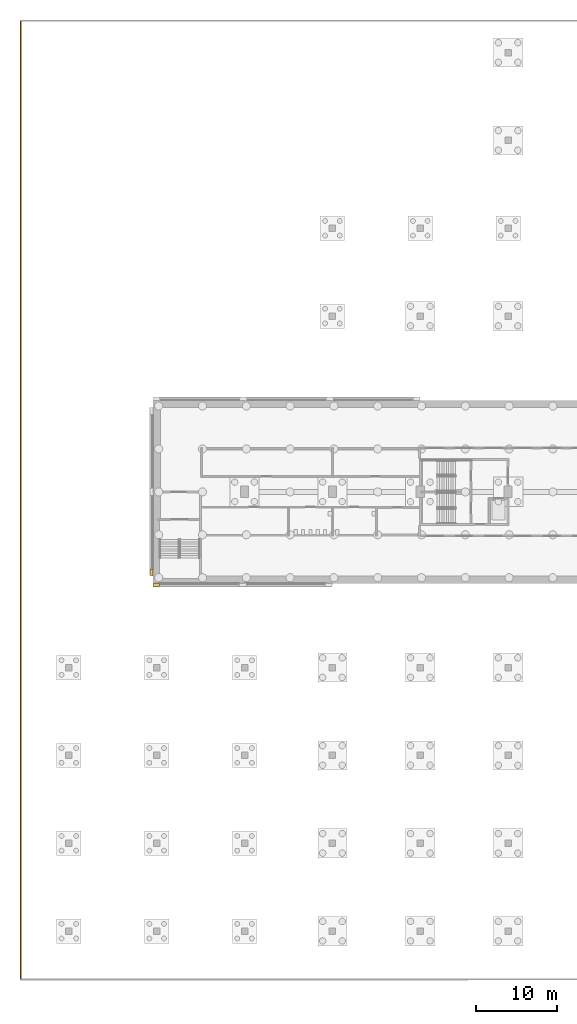
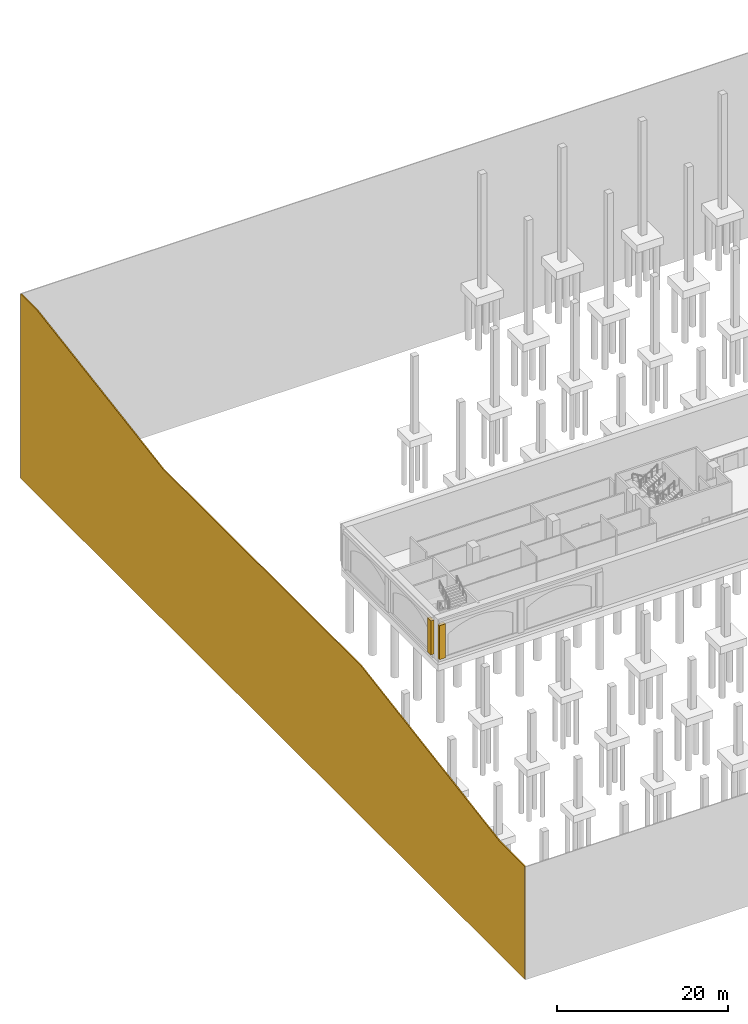
# One storey, part 29 of 39: 3 coverings.
"""IFC4 building model written with IfcOpenShell, lengths in metres."""

import ifcopenshell
import ifcopenshell.guid

model = None  # the IFC model being written
_history = None  # IfcOwnerHistory: only IFC2X3 demands one
_inside = {}  # id of a spatial element -> (the spatial element, [elements in it])
_under = {}  # id of a project, library or spatial element -> (it, [spatial elements below it])
_declared = {}  # id of a project -> (the project, [libraries it declares])
_typed = {}  # id of a type object -> (the type object, [elements of that type])
_made_of = {}  # id of a material, layer set ... -> (it, [elements and type objects made of it])


def new_model(schema):
    """Start an empty IFC model of exactly this schema.

    Asked for "IFC4X3", IfcOpenShell would pick the latest addendum, in which some entities
    have other attributes; the version numbers below select the first issue.
    IFC2X3 requires an IfcOwnerHistory on every rooted entity: one is made here for all.
    """
    global model, _history
    if schema == "IFC4X3":
        model = ifcopenshell.file(schema_version=(4, 3, 0, 0))
    else:
        model = ifcopenshell.file(schema=schema)
    _inside.clear()
    _under.clear()
    _declared.clear()
    _typed.clear()
    _made_of.clear()
    _history = None
    if model.schema == "IFC2X3":
        org = make("IfcOrganization", Name="unknown")
        user = make(
            "IfcPersonAndOrganization",
            ThePerson=make("IfcPerson", FamilyName="unknown"),
            TheOrganization=org,
        )
        app = make(
            "IfcApplication",
            ApplicationDeveloper=org,
            Version="unknown",
            ApplicationFullName="unknown",
            ApplicationIdentifier="unknown",
        )
        _history = make(
            "IfcOwnerHistory",
            OwningUser=user,
            OwningApplication=app,
            ChangeAction="ADDED",
            CreationDate=0,
        )
    return model


def make(cls, **values):
    """One entity of the class cls with the attributes given. An attribute that is None is left unset."""
    return model.create_entity(
        cls, **{name: value for name, value in values.items() if value is not None}
    )


def rooted(cls, **values):
    """An entity with a GlobalId (a new one), such as an element, a storey or a relation."""
    return make(cls, GlobalId=ifcopenshell.guid.new(), OwnerHistory=_history, **values)


def si_unit(unit_type, name, prefix=None):
    """IfcSIUnit, for example si_unit("LENGTHUNIT", "METRE", prefix="MILLI")."""
    return make("IfcSIUnit", UnitType=unit_type, Prefix=prefix, Name=name)


def assignment(units):
    """IfcUnitAssignment: the units of a project."""
    return None if units is None else make("IfcUnitAssignment", Units=units)


def point(xyz):
    """IfcCartesianPoint."""
    return None if xyz is None else make("IfcCartesianPoint", Coordinates=xyz)


def direction(xyz):
    """IfcDirection."""
    return None if xyz is None else make("IfcDirection", DirectionRatios=xyz)


def frame(location, z_axis=None, x_axis=None):
    """IfcAxis2Placement3D, a coordinate frame: its origin and axes. An axis left out is left unset."""
    return make(
        "IfcAxis2Placement3D",
        Location=point(location),
        Axis=direction(z_axis),
        RefDirection=direction(x_axis),
    )


def frame_2d(location, x_axis=None):
    """IfcAxis2Placement2D, a coordinate frame in the plane: its origin and x axis."""
    return make(
        "IfcAxis2Placement2D", Location=point(location), RefDirection=direction(x_axis)
    )


def origin():
    """The frame at (0, 0, 0) with its axes left unset."""
    return frame((0.0, 0.0, 0.0))


def origin_2d():
    """The frame at (0, 0) in the plane with its x axis left unset."""
    return frame_2d((0.0, 0.0))


def place(relative_to, where):
    """IfcLocalPlacement: puts the frame where relative to a parent placement (None: the world)."""
    return make(
        "IfcLocalPlacement", PlacementRelTo=relative_to, RelativePlacement=where
    )


def context(
    kind, dimensions, precision=None, world=None, true_north=None, identifier=None
):
    """IfcGeometricRepresentationContext, for example the 3D "Model" context."""
    return make(
        "IfcGeometricRepresentationContext",
        ContextIdentifier=identifier,
        ContextType=kind,
        CoordinateSpaceDimension=dimensions,
        Precision=precision,
        WorldCoordinateSystem=world,
        TrueNorth=true_north,
    )


def subcontext(parent, identifier, kind, view, scale=None):
    """IfcGeometricRepresentationSubContext, for example "Body" below "Model"."""
    return make(
        "IfcGeometricRepresentationSubContext",
        ContextIdentifier=identifier,
        ContextType=kind,
        ParentContext=parent,
        TargetScale=scale,
        TargetView=view,
    )


def project(units=None, contexts=None):
    """IfcProject with its units and contexts."""
    return rooted(
        "IfcProject",
        Name="project",
        RepresentationContexts=contexts,
        UnitsInContext=assignment(units),
    )


def spatial(cls, under=None, at=None, **own):
    """A site, building, storey or space (cls), placed at a placement, below another one or the project."""
    s = rooted(cls, ObjectPlacement=at, **own)
    if under is not None:
        _under.setdefault(under.id(), (under, []))[1].append(s)
    return s


def polyline(points):
    """IfcPolyline through the points."""
    return make("IfcPolyline", Points=[point(p) for p in points])


def profile(cls, at=None, kind="AREA", **sizes):
    """A parametric profile (cls). Its sizes go by their IFC names, for example OverallWidth=200.0."""
    return make(cls, ProfileType=kind, Position=at, **sizes)


def rectangle(**sizes):
    """IfcRectangleProfileDef."""
    return profile("IfcRectangleProfileDef", **sizes)


def outline(outer, holes=None, kind="AREA"):
    """IfcArbitraryClosedProfileDef: a profile drawn as a closed curve; with holes, ...WithVoids."""
    if holes is None:
        return make("IfcArbitraryClosedProfileDef", ProfileType=kind, OuterCurve=outer)
    return make(
        "IfcArbitraryProfileDefWithVoids",
        ProfileType=kind,
        OuterCurve=outer,
        InnerCurves=holes,
    )


def extrude(swept, where, along, depth):
    """IfcExtrudedAreaSolid: the profile swept, set in the frame where, extruded along a direction by depth."""
    return make(
        "IfcExtrudedAreaSolid",
        SweptArea=swept,
        Position=where,
        ExtrudedDirection=direction(along),
        Depth=depth,
    )


def shape(context_of_items, identifier, shape_type, items):
    """IfcShapeRepresentation: the items that make up one representation, for example the "Body"."""
    return make(
        "IfcShapeRepresentation",
        ContextOfItems=context_of_items,
        RepresentationIdentifier=identifier,
        RepresentationType=shape_type,
        Items=items,
    )


def material(Name=None, Category=None):
    """IfcMaterial."""
    return make("IfcMaterial", Name=Name, Category=Category)


def layer(
    of_material, thickness, ventilated=None, Name=None, Category=None, Priority=None
):
    """IfcMaterialLayer: one layer of a wall or slab, of a material (None: an air gap)."""
    return make(
        "IfcMaterialLayer",
        Material=of_material,
        LayerThickness=thickness,
        IsVentilated=ventilated,
        Name=Name,
        Category=Category,
        Priority=Priority,
    )


def layer_set(layers, Name=None):
    """IfcMaterialLayerSet."""
    return make("IfcMaterialLayerSet", MaterialLayers=layers, LayerSetName=Name)


def made_of(thing, what):
    """Note that an element or type object is made of a material, layer set ...; save() writes the relation."""
    if what is not None:
        _made_of.setdefault(what.id(), (what, []))[1].append(thing)
    return thing


def type_object(cls, material=None, **own):
    """A type object (cls), such as IfcWallType, which elements share."""
    return made_of(rooted(cls, **own), material)


def element(
    cls,
    number,
    at=None,
    inside=None,
    cuts=None,
    type_object=None,
    material=None,
    context=None,
    identifier="Body",
    shape_type=None,
    held_by="IfcProductDefinitionShape",
    body=None,
    shapes=None,
    **own,
):
    """One element of the class cls, such as IfcWall. Its Tag is "e" and its number.

    at: its placement. inside: the storey or other place that contains it. cuts: it is an
    opening in that element (IfcRelVoidsElement). A single representation is given by context,
    identifier, shape_type and body (its items); several are given by shapes. held_by: the class
    of the entity that holds the representations. save() writes the other relations.
    """
    e = rooted(cls, Tag="e%d" % number, ObjectPlacement=at, **own)
    if body is not None:
        shapes = [shape(context, identifier, shape_type, body)]
    if shapes is not None:
        e.Representation = make(held_by, Representations=shapes)
    if inside is not None:
        _inside.setdefault(inside.id(), (inside, []))[1].append(e)
    if cuts is not None:
        rooted(
            "IfcRelVoidsElement", RelatingBuildingElement=cuts, RelatedOpeningElement=e
        )
    if type_object is not None:
        _typed.setdefault(type_object.id(), (type_object, []))[1].append(e)
    return made_of(e, material)


def aggregate(whole, parts):
    """IfcRelAggregates: a whole, such as a stair, and the parts it consists of."""
    return rooted("IfcRelAggregates", RelatingObject=whole, RelatedObjects=parts)


def save(model, path):
    """Write the relations noted so far, then the file.

    IfcRelAggregates (storeys below a building ...), IfcRelContainedInSpatialStructure (elements
    in a storey), IfcRelDefinesByType, IfcRelAssociatesMaterial and IfcRelDeclares: one each for
    every whole, place, type object, material and project.
    """
    for whole, parts in _under.values():
        aggregate(whole, parts)
    for where, things in _inside.values():
        rooted(
            "IfcRelContainedInSpatialStructure",
            RelatedElements=things,
            RelatingStructure=where,
        )
    for kind, things in _typed.values():
        rooted("IfcRelDefinesByType", RelatedObjects=things, RelatingType=kind)
    for what, things in _made_of.values():
        rooted("IfcRelAssociatesMaterial", RelatedObjects=things, RelatingMaterial=what)
    for by, libraries in _declared.values():
        rooted("IfcRelDeclares", RelatingContext=by, RelatedDefinitions=libraries)
    model.write(path)


model = new_model("IFC4")

# Units and contexts
model_context = context("Model", 3, precision=1e-05, world=origin(), true_north=direction((0.0, 1.0)))
body_context = subcontext(model_context, "Body", "Model", "MODEL_VIEW")
ifc_project = project(units=[si_unit("LENGTHUNIT", "METRE"), si_unit("AREAUNIT", "SQUARE_METRE"), si_unit("VOLUMEUNIT", "CUBIC_METRE"), si_unit("PLANEANGLEUNIT", "RADIAN"), si_unit("MASSUNIT", "GRAM", prefix="KILO")], contexts=[model_context])

# Site, building, storey
site_placement = place(None, origin())
site = spatial("IfcSite", under=ifc_project, at=site_placement, CompositionType="ELEMENT")
building_placement = place(site_placement, origin())
building = spatial("IfcBuilding", under=site, at=building_placement, Name="Magnolia Steps Interchange", CompositionType="ELEMENT")
storey_placement = place(building_placement, frame((0.0, 0.0, -11.39990234375)))
storey = spatial("IfcBuildingStorey", under=building, at=storey_placement, Name="B2", CompositionType="ELEMENT", Elevation=-11.39990234375)

# Coverings
ifc_material_1 = material(Name="Compacted earth and rock face")
ifc_layer_1 = layer(ifc_material_1, 0.14990234375)
ifc_layer_set_1 = layer_set([ifc_layer_1], Name="Earth retaining face 150")
covering_type_1 = type_object("IfcCoveringType", Name="Earth retaining face 150", PredefinedType="CLADDING", material=ifc_layer_set_1)
covering_1_placement = place(storey_placement, frame((4.074951171875, 4.14990234375, -10.10009765625), z_axis=(0.0, 0.0, 1.0), x_axis=(0.0, 1.0, 0.0)))
element("IfcCovering", 1, at=covering_1_placement, inside=storey, type_object=covering_type_1, Name="Earth retaining face west", PredefinedType="CLADDING", context=body_context, shape_type="SweptSolid", body=[
    extrude(outline(polyline([(0.0, 0.0), (117.7001953125, 0.0), (117.699951171875, 26.300048828125), (113.85009765625, 26.300048828125), (84.449951171875, 21.5), (38.25, 21.5), (5.85009765625, 16.10009765625), (0.0, 16.10009765625), (0.0, 0.0)])), frame((0.0, 0.074951171875, 0.0), z_axis=(0.0, -1.0, 0.0), x_axis=(1.0, 0.0, 0.0)), (0.0, 0.0, 1.0), 0.14990234375),
])
ifc_material_2 = material(Name="Lime render")
ifc_layer_2 = layer(ifc_material_2, 0.39990234375)
ifc_layer_set_2 = layer_set([ifc_layer_2], Name="Lime render pilaster")
covering_type_2 = type_object("IfcCoveringType", Name="Lime render pilaster", PredefinedType="CLADDING", material=ifc_layer_set_2)
covering_2_placement = place(storey_placement, frame((20.75, 52.550048828125, 0.499755859375), z_axis=(0.0, 0.0, 1.0), x_axis=(1.0, 0.0, 0.0)))
element("IfcCovering", 2, at=covering_2_placement, inside=storey, type_object=covering_type_2, Name="Pilaster metro box wall 1.1", PredefinedType="CLADDING", context=body_context, shape_type="SweptSolid", body=[
    extrude(rectangle(XDim=0.800048828125, YDim=0.39990234375, at=origin_2d()), origin(), (0.0, 0.0, 1.0), 4.85009765625),
])
covering_3_placement = place(storey_placement, frame((20.14990234375, 54.10009765625, 0.499755859375), z_axis=(0.0, 0.0, 1.0), x_axis=(1.0, 0.0, 0.0)))
element("IfcCovering", 3, at=covering_3_placement, inside=storey, type_object=covering_type_2, Name="Pilaster metro box wall 1.1", PredefinedType="CLADDING", context=body_context, shape_type="SweptSolid", body=[
    extrude(rectangle(XDim=0.39990234375, YDim=0.800048828125, at=origin_2d()), origin(), (0.0, 0.0, 1.0), 4.85009765625),
])

save(model, "model.ifc")
